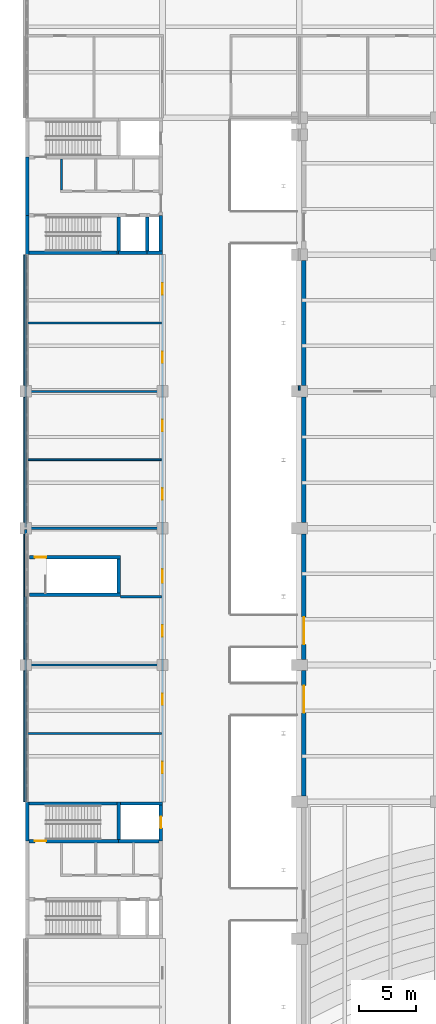
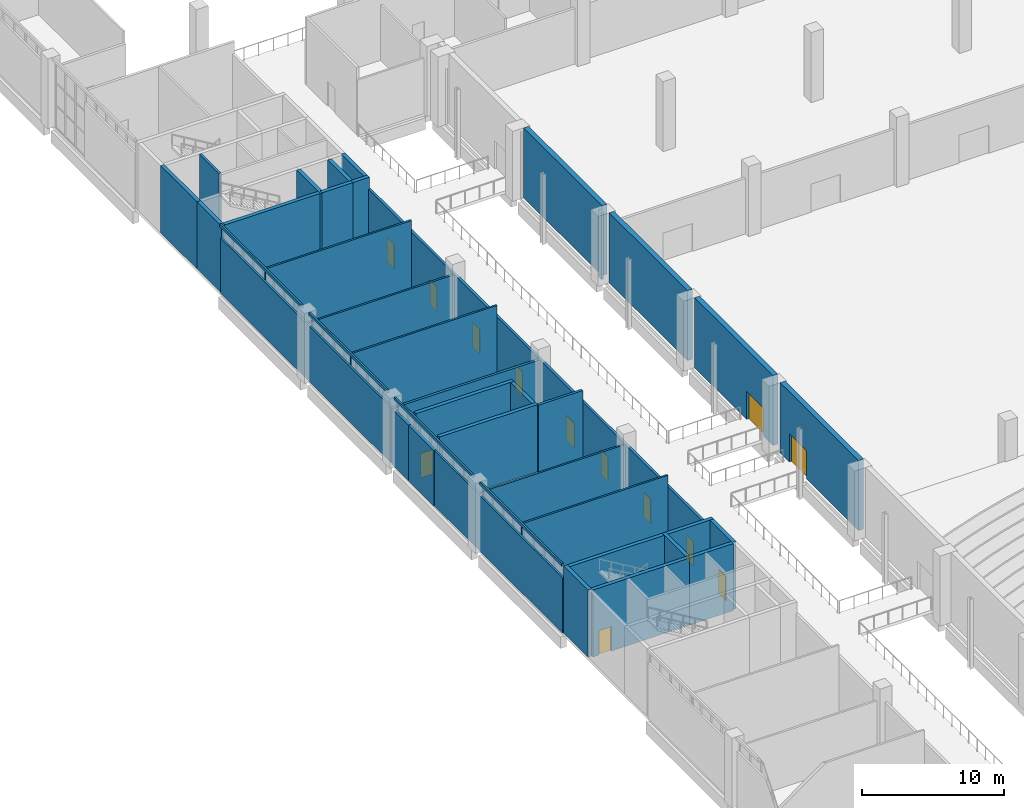
# One storey, part 59 of 72: 40 walls, 13 doors, 13 openings.
"""IFC4 building model written with IfcOpenShell, lengths in metres."""

from ifc_helpers import new_model, si_unit, direction, frame, frame_2d, origin, place, context, subcontext, project, spatial, rectangle, extrude, material, layer, layer_set, type_object, element, fill, save


model = new_model("IFC4")

# Units and contexts
model_context = context("Model", 3, precision=1e-05, world=origin(), true_north=direction((0.0, 1.0)))
body_context = subcontext(model_context, "Body", "Model", "MODEL_VIEW")
ifc_project = project(units=[si_unit("LENGTHUNIT", "METRE"), si_unit("AREAUNIT", "SQUARE_METRE"), si_unit("VOLUMEUNIT", "CUBIC_METRE"), si_unit("PLANEANGLEUNIT", "RADIAN"), si_unit("MASSUNIT", "GRAM", prefix="KILO")], contexts=[model_context])

# Site, building, storey
site_placement = place(None, origin())
site = spatial("IfcSite", under=ifc_project, at=site_placement, CompositionType="ELEMENT")
building_placement = place(site_placement, origin())
building = spatial("IfcBuilding", under=site, at=building_placement, Name="Lilac Gate Convention Centre", CompositionType="ELEMENT")
storey_placement = place(building_placement, frame((0.0, 0.0, 6.0)))
storey = spatial("IfcBuildingStorey", under=building, at=storey_placement, Name="L01", CompositionType="ELEMENT", Elevation=6.0)

# Wall, opening, door
ifc_material_1 = material(Name="Concrete C30", Category="concrete")
ifc_layer_1 = layer(ifc_material_1, 0.39990234375)
ifc_layer_set_1 = layer_set([ifc_layer_1], Name="Concrete C30")
wall_type_1 = type_object("IfcWallType", Name="Hall fire wall 400", PredefinedType="SOLIDWALL", material=ifc_layer_set_1)
wall_1_placement = place(storey_placement, frame((30.39990234375, 162.5, 0.0), z_axis=(0.0, 0.0, 1.0), x_axis=(0.0, 1.0, 0.0)))
wall_1 = element("IfcWall", 1, at=wall_1_placement, inside=storey, type_object=wall_type_1, Name="Fire wall galleria FW L01 12", PredefinedType="SOLIDWALL", context=body_context, shape_type="SweptSolid", body=[
    extrude(rectangle(XDim=11.0, YDim=0.39990234375, at=frame_2d((5.5, 0.0))), origin(), (0.0, 0.0, 1.0), 6.0),
])
opening_1_placement = place(wall_1_placement, frame((7.300048828125, 0.0, 0.0)))
opening_1 = element("IfcOpeningElement", 2, at=opening_1_placement, cuts=wall_1, Name="Opening L01-076", PredefinedType="OPENING", context=body_context, shape_type="SweptSolid", body=[
    extrude(rectangle(XDim=2.39990234375, YDim=2.39990234375, at=frame_2d((1.199951171875, 1.199951171875))), frame((0.0, 0.2099609375, 0.0), z_axis=(0.0, -1.0, 0.0), x_axis=(1.0, 0.0, 0.0)), (0.0, 0.0, 1.0), 0.419921875),
])
ifc_material_2 = material(Name="Steel Q235B", Category="steel")
door_type_1 = type_object("IfcDoorType", Name="Door 2400 x 2400 double leaf FD90", OperationType="DOUBLE_DOOR_SINGLE_SWING", PredefinedType="DOOR", material=ifc_material_2)
door_1_placement = place(opening_1_placement, origin())
door_1 = element("IfcDoor", 3, at=door_1_placement, inside=storey, type_object=door_type_1, Name="Hall exit door L01-076", OperationType="DOUBLE_DOOR_SINGLE_SWING", OverallHeight=2.39990234375, OverallWidth=2.39990234375, PredefinedType="DOOR", context=body_context, shape_type="SweptSolid", body=[
    extrude(rectangle(XDim=2.39990234375, YDim=2.39990234375, at=frame_2d((1.199951171875, 1.199951171875))), frame((0.0, 0.02490234375, 0.0), z_axis=(0.0, -1.0, 0.0), x_axis=(1.0, 0.0, 0.0)), (0.0, 0.0, 1.0), 0.050048828125),
])
fill(opening_1, door_1)

wall_2_placement = place(storey_placement, frame((30.39990234375, 174.5, 0.0), z_axis=(0.0, 0.0, 1.0), x_axis=(0.0, 1.0, 0.0)))
wall_2 = element("IfcWall", 4, at=wall_2_placement, inside=storey, type_object=wall_type_1, Name="Fire wall galleria FW L01 13", PredefinedType="SOLIDWALL", context=body_context, shape_type="SweptSolid", body=[
    extrude(rectangle(XDim=11.0, YDim=0.39990234375, at=frame_2d((5.5, 0.0))), origin(), (0.0, 0.0, 1.0), 6.0),
])
opening_2_placement = place(wall_2_placement, frame((1.300048828125, 0.0, 0.0)))
opening_2 = element("IfcOpeningElement", 5, at=opening_2_placement, cuts=wall_2, Name="Opening L01-078", PredefinedType="OPENING", context=body_context, shape_type="SweptSolid", body=[
    extrude(rectangle(XDim=2.39990234375, YDim=2.39990234375, at=frame_2d((1.199951171875, 1.199951171875))), frame((0.0, 0.2099609375, 0.0), z_axis=(0.0, -1.0, 0.0), x_axis=(1.0, 0.0, 0.0)), (0.0, 0.0, 1.0), 0.419921875),
])
door_2_placement = place(opening_2_placement, origin())
door_2 = element("IfcDoor", 6, at=door_2_placement, inside=storey, type_object=door_type_1, Name="Hall exit door L01-078", OperationType="DOUBLE_DOOR_SINGLE_SWING", OverallHeight=2.39990234375, OverallWidth=2.39990234375, PredefinedType="DOOR", context=body_context, shape_type="SweptSolid", body=[
    extrude(rectangle(XDim=2.39990234375, YDim=2.39990234375, at=frame_2d((1.199951171875, 1.199951171875))), frame((0.0, 0.02490234375, 0.0), z_axis=(0.0, -1.0, 0.0), x_axis=(1.0, 0.0, 0.0)), (0.0, 0.0, 1.0), 0.050048828125),
])
fill(opening_2, door_2)

# Walls
for number, where, z_axis, x_axis, name in (
    (7, (30.39990234375, 186.5, 0.0), (0.0, 0.0, 1.0), (0.0, 1.0, 0.0), "Fire wall galleria FW L01 14"),
    (8, (30.39990234375, 198.5, 0.0), (0.0, 0.0, 1.0), (0.0, 1.0, 0.0), "Fire wall galleria FW L01 15"),
):
    element("IfcWall", number, at=place(storey_placement, frame(where, z_axis=z_axis, x_axis=x_axis)), inside=storey, type_object=wall_type_1, Name=name, PredefinedType="SOLIDWALL", context=body_context, shape_type="SweptSolid", body=[
        extrude(rectangle(XDim=11.0, YDim=0.39990234375, at=frame_2d((5.5, 0.0))), origin(), (0.0, 0.0, 1.0), 6.0),
    ])
ifc_material_3 = material(Name="Fire-rated gypsum board on steel stud", Category="steel")
ifc_layer_2 = layer(ifc_material_3, 0.14990234375)
ifc_layer_set_2 = layer_set([ifc_layer_2], Name="Fire-rated gypsum board on steel stud")
wall_type_2 = type_object("IfcWallType", Name="Partition 150 fire-rated gypsum board EI 60", PredefinedType="PARTITIONING", material=ifc_layer_set_2)
wall_3_placement = place(storey_placement, frame((6.074951171875, 168.0, 0.0), z_axis=(0.0, 0.0, 1.0), x_axis=(1.0, 0.0, 0.0)))
element("IfcWall", 9, at=wall_3_placement, inside=storey, type_object=wall_type_2, Name="Partition 150 fire-rated gypsum board EI 60", PredefinedType="PARTITIONING", context=body_context, shape_type="SweptSolid", body=[
    extrude(rectangle(XDim=11.824951171875, YDim=0.14990234375, at=frame_2d((5.91259765625, 0.0))), origin(), (0.0, 0.0, 1.0), 5.75),
])
wall_4_placement = place(storey_placement, frame((6.074951171875, 174.0, 0.0), z_axis=(0.0, 0.0, 1.0), x_axis=(1.0, 0.0, 0.0)))
element("IfcWall", 10, at=wall_4_placement, inside=storey, type_object=wall_type_2, Name="Partition 150 fire-rated gypsum board EI 60", PredefinedType="PARTITIONING", context=body_context, shape_type="SweptSolid", body=[
    extrude(rectangle(XDim=11.824951171875, YDim=0.14990234375, at=frame_2d((5.91259765625, 0.0))), origin(), (0.0, 0.0, 1.0), 4.75),
])
wall_5_placement = place(storey_placement, frame((6.074951171875, 192.0, 0.0), z_axis=(0.0, 0.0, 1.0), x_axis=(1.0, 0.0, 0.0)))
element("IfcWall", 11, at=wall_5_placement, inside=storey, type_object=wall_type_2, Name="Partition 150 fire-rated gypsum board EI 60", PredefinedType="PARTITIONING", context=body_context, shape_type="SweptSolid", body=[
    extrude(rectangle(XDim=11.824951171875, YDim=0.14990234375, at=frame_2d((5.91259765625, 0.0))), origin(), (0.0, 0.0, 1.0), 5.75),
])
wall_6_placement = place(storey_placement, frame((6.074951171875, 198.0, 0.0), z_axis=(0.0, 0.0, 1.0), x_axis=(1.0, 0.0, 0.0)))
element("IfcWall", 12, at=wall_6_placement, inside=storey, type_object=wall_type_2, Name="Partition 150 fire-rated gypsum board EI 60", PredefinedType="PARTITIONING", context=body_context, shape_type="SweptSolid", body=[
    extrude(rectangle(XDim=11.824951171875, YDim=0.14990234375, at=frame_2d((5.91259765625, 0.0))), origin(), (0.0, 0.0, 1.0), 4.75),
])
wall_7_placement = place(storey_placement, frame((6.074951171875, 204.0, 0.0), z_axis=(0.0, 0.0, 1.0), x_axis=(1.0, 0.0, 0.0)))
element("IfcWall", 13, at=wall_7_placement, inside=storey, type_object=wall_type_2, Name="Partition 150 fire-rated gypsum board EI 60", PredefinedType="PARTITIONING", context=body_context, shape_type="SweptSolid", body=[
    extrude(rectangle(XDim=11.824951171875, YDim=0.14990234375, at=frame_2d((5.91259765625, 0.0))), origin(), (0.0, 0.0, 1.0), 5.75),
])
wall_8_placement = place(storey_placement, frame((6.0, 162.0, 0.0), z_axis=(0.0, 0.0, 1.0), x_axis=(0.0, 1.0, 0.0)))
element("IfcWall", 14, at=wall_8_placement, inside=storey, type_object=wall_type_2, Name="Partition 150 fire-rated gypsum board EI 60", PredefinedType="PARTITIONING", context=body_context, shape_type="SweptSolid", body=[
    extrude(rectangle(XDim=18.0, YDim=0.14990234375, at=frame_2d((9.0, 0.0))), origin(), (0.0, 0.0, 1.0), 4.75),
])
wall_9_placement = place(storey_placement, frame((6.0, 186.10009765625, 0.0), z_axis=(0.0, 0.0, 1.0), x_axis=(0.0, 1.0, 0.0)))
element("IfcWall", 15, at=wall_9_placement, inside=storey, type_object=wall_type_2, Name="Partition 150 fire-rated gypsum board EI 60", PredefinedType="PARTITIONING", context=body_context, shape_type="SweptSolid", body=[
    extrude(rectangle(XDim=23.89990234375, YDim=0.14990234375, at=frame_2d((11.949951171875, 0.0))), origin(), (0.0, 0.0, 1.0), 4.75),
])
wall_10_placement = place(storey_placement, frame((30.0, 198.10009765625, 0.0), z_axis=(0.0, 0.0, 1.0), x_axis=(0.0, 1.0, 0.0)))
element("IfcWall", 16, at=wall_10_placement, inside=storey, type_object=wall_type_2, Name="Partition 150 fire-rated gypsum board EI 60", PredefinedType="PARTITIONING", context=body_context, shape_type="SweptSolid", body=[
    extrude(rectangle(XDim=0.39990234375, YDim=0.14990234375, at=frame_2d((0.199951171875, 0.0))), origin(), (0.0, 0.0, 1.0), 5.75),
])
ifc_material_4 = material(Name="Clay brick masonry", Category="masonry")
ifc_layer_3 = layer(ifc_material_4, 0.199951171875)
ifc_layer_set_3 = layer_set([ifc_layer_3], Name="Clay brick masonry")
wall_type_3 = type_object("IfcWallType", Name="Partition 200 brick EI 120", PredefinedType="PARTITIONING", material=ifc_layer_set_3)
wall_11_placement = place(storey_placement, frame((6.0, 180.0, 0.0), z_axis=(0.0, 0.0, 1.0), x_axis=(0.0, 1.0, 0.0)))
element("IfcWall", 17, at=wall_11_placement, inside=storey, type_object=wall_type_3, Name="Partition 200 brick EI 120", PredefinedType="PARTITIONING", context=body_context, shape_type="SweptSolid", body=[
    extrude(rectangle(XDim=3.60009765625, YDim=0.199951171875, at=frame_2d((1.800048828125, 0.0))), origin(), (0.0, 0.0, 1.0), 4.75),
])
ifc_layer_4 = layer(ifc_material_4, 0.199951171875)
ifc_layer_set_4 = layer_set([ifc_layer_4], Name="Clay brick masonry")
wall_type_4 = type_object("IfcWallType", Name="Partition 200 brick EI 60", PredefinedType="PARTITIONING", material=ifc_layer_set_4)
wall_12_placement = place(storey_placement, frame((14.300048828125, 180.0, 0.0), z_axis=(0.0, 0.0, 1.0), x_axis=(1.0, 0.0, 0.0)))
element("IfcWall", 18, at=wall_12_placement, inside=storey, type_object=wall_type_4, Name="Partition 200 brick EI 60", PredefinedType="PARTITIONING", context=body_context, shape_type="SweptSolid", body=[
    extrude(rectangle(XDim=3.599853515625, YDim=0.199951171875, at=frame_2d((1.7998046875, 0.0))), origin(), (0.0, 0.0, 1.0), 5.75),
])
wall_13_placement = place(storey_placement, frame((5.925048828125, 186.0, 0.0), z_axis=(0.0, 0.0, 1.0), x_axis=(1.0, 0.0, 0.0)))
element("IfcWall", 19, at=wall_13_placement, inside=storey, type_object=wall_type_4, Name="Partition 200 brick EI 60", PredefinedType="PARTITIONING", context=body_context, shape_type="SweptSolid", body=[
    extrude(rectangle(XDim=11.974853515625, YDim=0.199951171875, at=frame_2d((5.9873046875, 0.0))), origin(), (0.0, 0.0, 1.0), 4.75),
])
wall_14_placement = place(storey_placement, frame((6.0, 183.60009765625, 0.0), z_axis=(0.0, 0.0, 1.0), x_axis=(0.0, 1.0, 0.0)))
element("IfcWall", 20, at=wall_14_placement, inside=storey, type_object=wall_type_4, Name="Partition 200 brick EI 60", PredefinedType="PARTITIONING", context=body_context, shape_type="SweptSolid", body=[
    extrude(rectangle(XDim=2.2998046875, YDim=0.199951171875, at=frame_2d((1.14990234375, 0.0))), origin(), (0.0, 0.0, 1.0), 4.75),
])
wall_15_placement = place(storey_placement, frame((9.14990234375, 215.64990234375, 0.0), z_axis=(0.0, 0.0, 1.0), x_axis=(0.0, 1.0, 0.0)))
element("IfcWall", 21, at=wall_15_placement, inside=storey, type_object=wall_type_4, Name="Partition 200 brick EI 60", PredefinedType="PARTITIONING", context=body_context, shape_type="SweptSolid", body=[
    extrude(rectangle(XDim=2.75, YDim=0.199951171875, at=frame_2d((1.375, 0.0))), origin(), (0.0, 0.0, 1.0), 5.75),
])

# Wall, openings, doors
wall_16_placement = place(storey_placement, frame((18.0, 162.0, 0.0), z_axis=(0.0, 0.0, 1.0), x_axis=(0.0, 1.0, 0.0)))
wall_16 = element("IfcWall", 22, at=wall_16_placement, inside=storey, type_object=wall_type_4, Name="Partition 200 brick EI 60", PredefinedType="PARTITIONING", context=body_context, shape_type="SweptSolid", body=[
    extrude(rectangle(XDim=48.0, YDim=0.199951171875, at=frame_2d((24.0, 0.0))), origin(), (0.0, 0.0, 1.0), 4.75),
])
opening_3_placement = place(wall_16_placement, frame((2.5, 0.0, 0.0)))
opening_3 = element("IfcOpeningElement", 23, at=opening_3_placement, cuts=wall_16, Name="Opening L01-072", PredefinedType="OPENING", context=body_context, shape_type="SweptSolid", body=[
    extrude(rectangle(XDim=1.0, YDim=2.10009765625, at=frame_2d((0.5, 1.050048828125))), frame((0.0, 0.10986328125, 0.0), z_axis=(0.0, -1.0, 0.0), x_axis=(1.0, 0.0, 0.0)), (0.0, 0.0, 1.0), 0.219970703125),
])
opening_4_placement = place(wall_16_placement, frame((8.5, 0.0, 0.0)))
opening_4 = element("IfcOpeningElement", 24, at=opening_4_placement, cuts=wall_16, Name="Opening L01-075", PredefinedType="OPENING", context=body_context, shape_type="SweptSolid", body=[
    extrude(rectangle(XDim=1.0, YDim=2.10009765625, at=frame_2d((0.5, 1.050048828125))), frame((0.0, 0.10986328125, 0.0), z_axis=(0.0, -1.0, 0.0), x_axis=(1.0, 0.0, 0.0)), (0.0, 0.0, 1.0), 0.219970703125),
])
opening_5_placement = place(wall_16_placement, frame((14.5, 0.0, 0.0)))
opening_5 = element("IfcOpeningElement", 25, at=opening_5_placement, cuts=wall_16, Name="Opening L01-077", PredefinedType="OPENING", context=body_context, shape_type="SweptSolid", body=[
    extrude(rectangle(XDim=1.0, YDim=2.10009765625, at=frame_2d((0.5, 1.050048828125))), frame((0.0, 0.10986328125, 0.0), z_axis=(0.0, -1.0, 0.0), x_axis=(1.0, 0.0, 0.0)), (0.0, 0.0, 1.0), 0.219970703125),
])
opening_6_placement = place(wall_16_placement, frame((19.199951171875, 0.0, 0.0)))
opening_6 = element("IfcOpeningElement", 26, at=opening_6_placement, cuts=wall_16, Name="Opening L01-080", PredefinedType="OPENING", context=body_context, shape_type="SweptSolid", body=[
    extrude(rectangle(XDim=1.199951171875, YDim=2.10009765625, at=frame_2d((0.60009765625, 1.050048828125))), frame((0.0, 0.10986328125, 0.0), z_axis=(0.0, -1.0, 0.0), x_axis=(1.0, 0.0, 0.0)), (0.0, 0.0, 1.0), 0.219970703125),
])
opening_7_placement = place(wall_16_placement, frame((26.5, 0.0, 0.0)))
opening_7 = element("IfcOpeningElement", 27, at=opening_7_placement, cuts=wall_16, Name="Opening L01-083", PredefinedType="OPENING", context=body_context, shape_type="SweptSolid", body=[
    extrude(rectangle(XDim=1.0, YDim=2.10009765625, at=frame_2d((0.5, 1.050048828125))), frame((0.0, 0.10986328125, 0.0), z_axis=(0.0, -1.0, 0.0), x_axis=(1.0, 0.0, 0.0)), (0.0, 0.0, 1.0), 0.219970703125),
])
opening_8_placement = place(wall_16_placement, frame((32.5, 0.0, 0.0)))
opening_8 = element("IfcOpeningElement", 28, at=opening_8_placement, cuts=wall_16, Name="Opening L01-091", PredefinedType="OPENING", context=body_context, shape_type="SweptSolid", body=[
    extrude(rectangle(XDim=1.0, YDim=2.10009765625, at=frame_2d((0.5, 1.050048828125))), frame((0.0, 0.10986328125, 0.0), z_axis=(0.0, -1.0, 0.0), x_axis=(1.0, 0.0, 0.0)), (0.0, 0.0, 1.0), 0.219970703125),
])
opening_9_placement = place(wall_16_placement, frame((38.5, 0.0, 0.0)))
opening_9 = element("IfcOpeningElement", 29, at=opening_9_placement, cuts=wall_16, Name="Opening L01-098", PredefinedType="OPENING", context=body_context, shape_type="SweptSolid", body=[
    extrude(rectangle(XDim=1.0, YDim=2.10009765625, at=frame_2d((0.5, 1.050048828125))), frame((0.0, 0.10986328125, 0.0), z_axis=(0.0, -1.0, 0.0), x_axis=(1.0, 0.0, 0.0)), (0.0, 0.0, 1.0), 0.219970703125),
])
opening_10_placement = place(wall_16_placement, frame((44.5, 0.0, 0.0)))
opening_10 = element("IfcOpeningElement", 30, at=opening_10_placement, cuts=wall_16, Name="Opening L01-099", PredefinedType="OPENING", context=body_context, shape_type="SweptSolid", body=[
    extrude(rectangle(XDim=1.0, YDim=2.10009765625, at=frame_2d((0.5, 1.050048828125))), frame((0.0, 0.10986328125, 0.0), z_axis=(0.0, -1.0, 0.0), x_axis=(1.0, 0.0, 0.0)), (0.0, 0.0, 1.0), 0.219970703125),
])
ifc_material_5 = material(Name="Timber fire door leaf", Category="wood")
door_type_2 = type_object("IfcDoorType", Name="Door 1000 x 2100 single leaf FD30", OperationType="SINGLE_SWING_LEFT", PredefinedType="DOOR", material=ifc_material_5)
door_3_placement = place(opening_3_placement, origin())
door_3 = element("IfcDoor", 31, at=door_3_placement, inside=storey, type_object=door_type_2, Name="Meeting room door L01-072", OperationType="SINGLE_SWING_RIGHT", OverallHeight=2.10009765625, OverallWidth=1.0, PredefinedType="DOOR", context=body_context, shape_type="SweptSolid", body=[
    extrude(rectangle(XDim=1.0, YDim=2.10009765625, at=frame_2d((0.5, 1.050048828125))), frame((0.0, 0.02490234375, 0.0), z_axis=(0.0, -1.0, 0.0), x_axis=(1.0, 0.0, 0.0)), (0.0, 0.0, 1.0), 0.050048828125),
])
fill(opening_3, door_3)
door_4_placement = place(opening_4_placement, origin())
door_4 = element("IfcDoor", 32, at=door_4_placement, inside=storey, type_object=door_type_2, Name="Meeting room door L01-075", OperationType="SINGLE_SWING_RIGHT", OverallHeight=2.10009765625, OverallWidth=1.0, PredefinedType="DOOR", context=body_context, shape_type="SweptSolid", body=[
    extrude(rectangle(XDim=1.0, YDim=2.10009765625, at=frame_2d((0.5, 1.050048828125))), frame((0.0, 0.02490234375, 0.0), z_axis=(0.0, -1.0, 0.0), x_axis=(1.0, 0.0, 0.0)), (0.0, 0.0, 1.0), 0.050048828125),
])
fill(opening_4, door_4)
door_5_placement = place(opening_5_placement, origin())
door_5 = element("IfcDoor", 33, at=door_5_placement, inside=storey, type_object=door_type_2, Name="Meeting room door L01-077", OperationType="SINGLE_SWING_RIGHT", OverallHeight=2.10009765625, OverallWidth=1.0, PredefinedType="DOOR", context=body_context, shape_type="SweptSolid", body=[
    extrude(rectangle(XDim=1.0, YDim=2.10009765625, at=frame_2d((0.5, 1.050048828125))), frame((0.0, 0.02490234375, 0.0), z_axis=(0.0, -1.0, 0.0), x_axis=(1.0, 0.0, 0.0)), (0.0, 0.0, 1.0), 0.050048828125),
])
fill(opening_5, door_5)
door_6_placement = place(opening_7_placement, origin())
door_6 = element("IfcDoor", 34, at=door_6_placement, inside=storey, type_object=door_type_2, Name="Meeting room door L01-083", OperationType="SINGLE_SWING_RIGHT", OverallHeight=2.10009765625, OverallWidth=1.0, PredefinedType="DOOR", context=body_context, shape_type="SweptSolid", body=[
    extrude(rectangle(XDim=1.0, YDim=2.10009765625, at=frame_2d((0.5, 1.050048828125))), frame((0.0, 0.02490234375, 0.0), z_axis=(0.0, -1.0, 0.0), x_axis=(1.0, 0.0, 0.0)), (0.0, 0.0, 1.0), 0.050048828125),
])
fill(opening_7, door_6)
door_7_placement = place(opening_8_placement, origin())
door_7 = element("IfcDoor", 35, at=door_7_placement, inside=storey, type_object=door_type_2, Name="Meeting room door L01-091", OperationType="SINGLE_SWING_RIGHT", OverallHeight=2.10009765625, OverallWidth=1.0, PredefinedType="DOOR", context=body_context, shape_type="SweptSolid", body=[
    extrude(rectangle(XDim=1.0, YDim=2.10009765625, at=frame_2d((0.5, 1.050048828125))), frame((0.0, 0.02490234375, 0.0), z_axis=(0.0, -1.0, 0.0), x_axis=(1.0, 0.0, 0.0)), (0.0, 0.0, 1.0), 0.050048828125),
])
fill(opening_8, door_7)
door_8_placement = place(opening_9_placement, origin())
door_8 = element("IfcDoor", 36, at=door_8_placement, inside=storey, type_object=door_type_2, Name="Meeting room door L01-098", OperationType="SINGLE_SWING_RIGHT", OverallHeight=2.10009765625, OverallWidth=1.0, PredefinedType="DOOR", context=body_context, shape_type="SweptSolid", body=[
    extrude(rectangle(XDim=1.0, YDim=2.10009765625, at=frame_2d((0.5, 1.050048828125))), frame((0.0, 0.02490234375, 0.0), z_axis=(0.0, -1.0, 0.0), x_axis=(1.0, 0.0, 0.0)), (0.0, 0.0, 1.0), 0.050048828125),
])
fill(opening_9, door_8)
door_9_placement = place(opening_10_placement, origin())
door_9 = element("IfcDoor", 37, at=door_9_placement, inside=storey, type_object=door_type_2, Name="Meeting room door L01-099", OperationType="SINGLE_SWING_RIGHT", OverallHeight=2.10009765625, OverallWidth=1.0, PredefinedType="DOOR", context=body_context, shape_type="SweptSolid", body=[
    extrude(rectangle(XDim=1.0, YDim=2.10009765625, at=frame_2d((0.5, 1.050048828125))), frame((0.0, 0.02490234375, 0.0), z_axis=(0.0, -1.0, 0.0), x_axis=(1.0, 0.0, 0.0)), (0.0, 0.0, 1.0), 0.050048828125),
])
fill(opening_10, door_9)
door_type_3 = type_object("IfcDoorType", Name="Door 1200 x 2100 single leaf FD60", OperationType="SINGLE_SWING_LEFT", PredefinedType="DOOR", material=ifc_material_5)
door_10_placement = place(opening_6_placement, origin())
door_10 = element("IfcDoor", 38, at=door_10_placement, inside=storey, type_object=door_type_3, Name="Lobby door L01-080", OperationType="SINGLE_SWING_RIGHT", OverallHeight=2.10009765625, OverallWidth=1.199951171875, PredefinedType="DOOR", context=body_context, shape_type="SweptSolid", body=[
    extrude(rectangle(XDim=1.199951171875, YDim=2.10009765625, at=frame_2d((0.60009765625, 1.050048828125))), frame((0.0, 0.02490234375, 0.0), z_axis=(0.0, -1.0, 0.0), x_axis=(1.0, 0.0, 0.0)), (0.0, 0.0, 1.0), 0.050048828125),
])
fill(opening_6, door_10)

# Walls
ifc_material_6 = material(Name="Concrete C40 precast", Category="concrete")
ifc_layer_5 = layer(ifc_material_6, 0.1298828125)
ifc_material_7 = material(Name="Ochre mineral render")
ifc_layer_6 = layer(ifc_material_7, 0.02001953125)
ifc_layer_set_5 = layer_set([ifc_layer_5, ifc_layer_6], Name="Concrete C40 precast, Ochre mineral render")
wall_type_5 = type_object("IfcWallType", Name="Precast band ochre 150", PredefinedType="STANDARD", material=ifc_layer_set_5)
wall_17_placement = place(storey_placement, frame((5.925048828125, 210.0, 5.75), z_axis=(0.0, 0.0, 1.0), x_axis=(0.0, -1.0, 0.0)))
element("IfcWall", 39, at=wall_17_placement, inside=storey, type_object=wall_type_5, Name="Precast band PW L01 1", PredefinedType="STANDARD", context=body_context, shape_type="SweptSolid", body=[
    extrude(rectangle(XDim=11.5, YDim=0.14990234375, at=frame_2d((5.75, 0.0))), origin(), (0.0, 0.0, 1.0), 0.25),
])
for number, where, z_axis, x_axis, name in (
    (40, (5.925048828125, 197.5, 5.75), (0.0, 0.0, 1.0), (0.0, -1.0, 0.0), "Precast band PW L01 2"),
    (41, (5.925048828125, 185.5, 5.75), (0.0, 0.0, 1.0), (0.0, -1.0, 0.0), "Precast band PW L01 3"),
):
    element("IfcWall", number, at=place(storey_placement, frame(where, z_axis=z_axis, x_axis=x_axis)), inside=storey, type_object=wall_type_5, Name=name, PredefinedType="STANDARD", context=body_context, shape_type="SweptSolid", body=[
        extrude(rectangle(XDim=11.0, YDim=0.14990234375, at=frame_2d((5.5, 0.0))), origin(), (0.0, 0.0, 1.0), 0.25),
    ])
wall_18_placement = place(storey_placement, frame((5.925048828125, 173.5, 5.75), z_axis=(0.0, 0.0, 1.0), x_axis=(0.0, -1.0, 0.0)))
element("IfcWall", 42, at=wall_18_placement, inside=storey, type_object=wall_type_5, Name="Precast band PW L01 4", PredefinedType="STANDARD", context=body_context, shape_type="SweptSolid", body=[
    extrude(rectangle(XDim=11.5, YDim=0.14990234375, at=frame_2d((5.75, 0.0))), origin(), (0.0, 0.0, 1.0), 0.25),
])
ifc_material_8 = material(Name="Concrete C40", Category="concrete")
ifc_layer_7 = layer(ifc_material_8, 0.300048828125)
ifc_layer_set_6 = layer_set([ifc_layer_7], Name="Concrete C40")
wall_type_6 = type_object("IfcWallType", Name="Shear wall 300 C40", PredefinedType="SHEAR", material=ifc_layer_set_6)
wall_19_placement = place(storey_placement, frame((6.35009765625, 180.14990234375, 0.0), z_axis=(0.0, 0.0, 1.0), x_axis=(1.0, 0.0, 0.0)))
element("IfcWall", 43, at=wall_19_placement, inside=storey, type_object=wall_type_6, Name="SW1 shear wall UW2 L01 1", PredefinedType="SHEAR", context=body_context, shape_type="SweptSolid", body=[
    extrude(rectangle(XDim=7.949951171875, YDim=0.300048828125, at=frame_2d((3.97509765625, 0.0))), origin(), (0.0, 0.0, 1.0), 5.75),
])

# Wall, opening, door
wall_20_placement = place(storey_placement, frame((6.35009765625, 183.449951171875, 0.0), z_axis=(0.0, 0.0, 1.0), x_axis=(1.0, 0.0, 0.0)))
wall_20 = element("IfcWall", 44, at=wall_20_placement, inside=storey, type_object=wall_type_6, Name="SW1 shear wall UW2 L01 2", PredefinedType="SHEAR", context=body_context, shape_type="SweptSolid", body=[
    extrude(rectangle(XDim=7.949951171875, YDim=0.300048828125, at=frame_2d((3.97509765625, 0.0))), origin(), (0.0, 0.0, 1.0), 5.75),
])
opening_11_placement = place(wall_20_placement, frame((0.449951171875, 0.0, 0.0)))
opening_11 = element("IfcOpeningElement", 45, at=opening_11_placement, cuts=wall_20, Name="Opening L01-081", PredefinedType="OPENING", context=body_context, shape_type="SweptSolid", body=[
    extrude(rectangle(XDim=1.0, YDim=2.10009765625, at=frame_2d((0.5, 1.050048828125))), frame((0.0, 0.159912109375, 0.0), z_axis=(0.0, -1.0, 0.0), x_axis=(1.0, 0.0, 0.0)), (0.0, 0.0, 1.0), 0.320068359375),
])
door_type_4 = type_object("IfcDoorType", Name="Door 1000 x 2100 single leaf FD60", OperationType="SINGLE_SWING_LEFT", PredefinedType="DOOR", material=ifc_material_5)
door_11_placement = place(opening_11_placement, frame((1.0, 0.0, 0.0), z_axis=(0.0, 0.0, 1.0), x_axis=(-1.0, 0.0, 0.0)))
door_11 = element("IfcDoor", 46, at=door_11_placement, inside=storey, type_object=door_type_4, Name="Stair door L01-081", OperationType="SINGLE_SWING_LEFT", OverallHeight=2.10009765625, OverallWidth=1.0, PredefinedType="DOOR", context=body_context, shape_type="SweptSolid", body=[
    extrude(rectangle(XDim=1.0, YDim=2.10009765625, at=frame_2d((0.5, 1.050048828125))), frame((0.0, 0.02490234375, 0.0), z_axis=(0.0, -1.0, 0.0), x_axis=(1.0, 0.0, 0.0)), (0.0, 0.0, 1.0), 0.050048828125),
])
fill(opening_11, door_11)

# Walls
wall_21_placement = place(storey_placement, frame((14.14990234375, 180.300048828125, 0.0), z_axis=(0.0, 0.0, 1.0), x_axis=(0.0, 1.0, 0.0)))
element("IfcWall", 47, at=wall_21_placement, inside=storey, type_object=wall_type_6, Name="SW1 shear wall UW2 L01 3", PredefinedType="SHEAR", context=body_context, shape_type="SweptSolid", body=[
    extrude(rectangle(XDim=3.0, YDim=0.300048828125, at=frame_2d((1.5, 0.0))), origin(), (0.0, 0.0, 1.0), 5.75),
])
wall_22_placement = place(storey_placement, frame((6.0, 161.85009765625, 0.0), z_axis=(0.0, 0.0, 1.0), x_axis=(1.0, 0.0, 0.0)))
element("IfcWall", 48, at=wall_22_placement, inside=storey, type_object=wall_type_6, Name="SW1 shear wall W3 L01 4", PredefinedType="SHEAR", context=body_context, shape_type="SweptSolid", body=[
    extrude(rectangle(XDim=8.14990234375, YDim=0.300048828125, at=frame_2d((4.074951171875, 0.0))), origin(), (0.0, 0.0, 1.0), 5.75),
])
wall_23_placement = place(storey_placement, frame((14.14990234375, 161.85009765625, 0.0), z_axis=(0.0, 0.0, 1.0), x_axis=(1.0, 0.0, 0.0)))
element("IfcWall", 49, at=wall_23_placement, inside=storey, type_object=wall_type_6, Name="SW1 shear wall W3 L01 5", PredefinedType="SHEAR", context=body_context, shape_type="SweptSolid", body=[
    extrude(rectangle(XDim=3.85009765625, YDim=0.300048828125, at=frame_2d((1.925048828125, 0.0))), origin(), (0.0, 0.0, 1.0), 5.75),
])

# Wall, opening, door
wall_24_placement = place(storey_placement, frame((6.300048828125, 158.550048828125, 0.0), z_axis=(0.0, 0.0, 1.0), x_axis=(1.0, 0.0, 0.0)))
wall_24 = element("IfcWall", 50, at=wall_24_placement, inside=storey, type_object=wall_type_6, Name="SW1 shear wall W3 L01 9", PredefinedType="SHEAR", context=body_context, shape_type="SweptSolid", body=[
    extrude(rectangle(XDim=7.849853515625, YDim=0.300048828125, at=frame_2d((3.9248046875, 0.0))), origin(), (0.0, 0.0, 1.0), 5.75),
])
opening_12_placement = place(wall_24_placement, frame((0.5, 0.0, 0.0)))
opening_12 = element("IfcOpeningElement", 51, at=opening_12_placement, cuts=wall_24, Name="Opening L01-067", PredefinedType="OPENING", context=body_context, shape_type="SweptSolid", body=[
    extrude(rectangle(XDim=1.0, YDim=2.10009765625, at=frame_2d((0.5, 1.050048828125))), frame((0.0, 0.159912109375, 0.0), z_axis=(0.0, -1.0, 0.0), x_axis=(1.0, 0.0, 0.0)), (0.0, 0.0, 1.0), 0.320068359375),
])
door_12_placement = place(opening_12_placement, origin())
door_12 = element("IfcDoor", 52, at=door_12_placement, inside=storey, type_object=door_type_4, Name="Stair door L01-067", OperationType="SINGLE_SWING_RIGHT", OverallHeight=2.10009765625, OverallWidth=1.0, PredefinedType="DOOR", context=body_context, shape_type="SweptSolid", body=[
    extrude(rectangle(XDim=1.0, YDim=2.10009765625, at=frame_2d((0.5, 1.050048828125))), frame((0.0, 0.02490234375, 0.0), z_axis=(0.0, -1.0, 0.0), x_axis=(1.0, 0.0, 0.0)), (0.0, 0.0, 1.0), 0.050048828125),
])
fill(opening_12, door_12)

# Walls
wall_25_placement = place(storey_placement, frame((14.14990234375, 158.550048828125, 0.0), z_axis=(0.0, 0.0, 1.0), x_axis=(1.0, 0.0, 0.0)))
element("IfcWall", 53, at=wall_25_placement, inside=storey, type_object=wall_type_6, Name="SW1 shear wall W3 L01 10", PredefinedType="SHEAR", context=body_context, shape_type="SweptSolid", body=[
    extrude(rectangle(XDim=3.550048828125, YDim=0.300048828125, at=frame_2d((1.77490234375, 0.0))), origin(), (0.0, 0.0, 1.0), 5.75),
])
wall_26_placement = place(storey_placement, frame((6.14990234375, 158.550048828125, 0.0), z_axis=(0.0, 0.0, 1.0), x_axis=(0.0, 1.0, 0.0)))
element("IfcWall", 54, at=wall_26_placement, inside=storey, type_object=wall_type_6, Name="SW1 shear wall W3 L01 13", PredefinedType="SHEAR", context=body_context, shape_type="SweptSolid", body=[
    extrude(rectangle(XDim=3.449951171875, YDim=0.300048828125, at=frame_2d((1.72509765625, 0.0))), origin(), (0.0, 0.0, 1.0), 5.75),
])

# Wall, opening, door
wall_27_placement = place(storey_placement, frame((17.85009765625, 158.550048828125, 0.0), z_axis=(0.0, 0.0, 1.0), x_axis=(0.0, 1.0, 0.0)))
wall_27 = element("IfcWall", 55, at=wall_27_placement, inside=storey, type_object=wall_type_6, Name="SW1 shear wall W3 L01 16", PredefinedType="SHEAR", context=body_context, shape_type="SweptSolid", body=[
    extrude(rectangle(XDim=3.14990234375, YDim=0.300048828125, at=frame_2d((1.574951171875, 0.0))), origin(), (0.0, 0.0, 1.0), 5.75),
])
opening_13_placement = place(wall_27_placement, frame((1.14990234375, 0.0, 0.0)))
opening_13 = element("IfcOpeningElement", 56, at=opening_13_placement, cuts=wall_27, Name="Opening L01-069", PredefinedType="OPENING", context=body_context, shape_type="SweptSolid", body=[
    extrude(rectangle(XDim=1.0, YDim=2.10009765625, at=frame_2d((0.5, 1.050048828125))), frame((0.0, 0.159912109375, 0.0), z_axis=(0.0, -1.0, 0.0), x_axis=(1.0, 0.0, 0.0)), (0.0, 0.0, 1.0), 0.320068359375),
])
door_13_placement = place(opening_13_placement, origin())
door_13 = element("IfcDoor", 57, at=door_13_placement, inside=storey, type_object=door_type_2, Name="Riser access door L01-069", OperationType="SINGLE_SWING_RIGHT", OverallHeight=2.10009765625, OverallWidth=1.0, PredefinedType="DOOR", context=body_context, shape_type="SweptSolid", body=[
    extrude(rectangle(XDim=1.0, YDim=2.10009765625, at=frame_2d((0.5, 1.050048828125))), frame((0.0, 0.02490234375, 0.0), z_axis=(0.0, -1.0, 0.0), x_axis=(1.0, 0.0, 0.0)), (0.0, 0.0, 1.0), 0.050048828125),
])
fill(opening_13, door_13)

# Walls
wall_28_placement = place(storey_placement, frame((14.14990234375, 158.699951171875, 0.0), z_axis=(0.0, 0.0, 1.0), x_axis=(0.0, 1.0, 0.0)))
element("IfcWall", 58, at=wall_28_placement, inside=storey, type_object=wall_type_6, Name="SW1 shear wall W3 L01 18", PredefinedType="SHEAR", context=body_context, shape_type="SweptSolid", body=[
    extrude(rectangle(XDim=3.300048828125, YDim=0.300048828125, at=frame_2d((1.64990234375, 0.0))), origin(), (0.0, 0.0, 1.0), 5.75),
])
wall_29_placement = place(storey_placement, frame((6.0, 210.14990234375, 0.0), z_axis=(0.0, 0.0, 1.0), x_axis=(1.0, 0.0, 0.0)))
element("IfcWall", 59, at=wall_29_placement, inside=storey, type_object=wall_type_6, Name="SW1 shear wall W4 L01 1", PredefinedType="SHEAR", context=body_context, shape_type="SweptSolid", body=[
    extrude(rectangle(XDim=8.14990234375, YDim=0.300048828125, at=frame_2d((4.074951171875, 0.0))), origin(), (0.0, 0.0, 1.0), 5.75),
])
wall_30_placement = place(storey_placement, frame((14.14990234375, 210.14990234375, 0.0), z_axis=(0.0, 0.0, 1.0), x_axis=(1.0, 0.0, 0.0)))
element("IfcWall", 60, at=wall_30_placement, inside=storey, type_object=wall_type_6, Name="SW1 shear wall W4 L01 2", PredefinedType="SHEAR", context=body_context, shape_type="SweptSolid", body=[
    extrude(rectangle(XDim=2.5, YDim=0.300048828125, at=frame_2d((1.25, 0.0))), origin(), (0.0, 0.0, 1.0), 5.75),
])
wall_31_placement = place(storey_placement, frame((16.64990234375, 210.14990234375, 0.0), z_axis=(0.0, 0.0, 1.0), x_axis=(1.0, 0.0, 0.0)))
element("IfcWall", 61, at=wall_31_placement, inside=storey, type_object=wall_type_6, Name="SW1 shear wall W4 L01 3", PredefinedType="SHEAR", context=body_context, shape_type="SweptSolid", body=[
    extrude(rectangle(XDim=1.35009765625, YDim=0.300048828125, at=frame_2d((0.675048828125, 0.0))), origin(), (0.0, 0.0, 1.0), 5.75),
])
wall_32_placement = place(storey_placement, frame((6.14990234375, 210.0, 0.0), z_axis=(0.0, 0.0, 1.0), x_axis=(0.0, 1.0, 0.0)))
element("IfcWall", 62, at=wall_32_placement, inside=storey, type_object=wall_type_6, Name="SW1 shear wall W4 L01 11", PredefinedType="SHEAR", context=body_context, shape_type="SweptSolid", body=[
    extrude(rectangle(XDim=3.449951171875, YDim=0.300048828125, at=frame_2d((1.72509765625, 0.0))), origin(), (0.0, 0.0, 1.0), 5.75),
])
wall_33_placement = place(storey_placement, frame((6.14990234375, 213.449951171875, 0.0), z_axis=(0.0, 0.0, 1.0), x_axis=(0.0, 1.0, 0.0)))
element("IfcWall", 63, at=wall_33_placement, inside=storey, type_object=wall_type_6, Name="SW1 shear wall W4 L01 12", PredefinedType="SHEAR", context=body_context, shape_type="SweptSolid", body=[
    extrude(rectangle(XDim=5.10009765625, YDim=0.300048828125, at=frame_2d((2.550048828125, 0.0))), origin(), (0.0, 0.0, 1.0), 5.75),
])
wall_34_placement = place(storey_placement, frame((17.85009765625, 210.300048828125, 0.0), z_axis=(0.0, 0.0, 1.0), x_axis=(0.0, 1.0, 0.0)))
element("IfcWall", 64, at=wall_34_placement, inside=storey, type_object=wall_type_6, Name="SW1 shear wall W4 L01 14", PredefinedType="SHEAR", context=body_context, shape_type="SweptSolid", body=[
    extrude(rectangle(XDim=3.14990234375, YDim=0.300048828125, at=frame_2d((1.574951171875, 0.0))), origin(), (0.0, 0.0, 1.0), 5.75),
])
wall_35_placement = place(storey_placement, frame((14.14990234375, 210.0, 0.0), z_axis=(0.0, 0.0, 1.0), x_axis=(0.0, 1.0, 0.0)))
element("IfcWall", 65, at=wall_35_placement, inside=storey, type_object=wall_type_6, Name="SW1 shear wall W4 L01 17", PredefinedType="SHEAR", context=body_context, shape_type="SweptSolid", body=[
    extrude(rectangle(XDim=3.300048828125, YDim=0.300048828125, at=frame_2d((1.64990234375, 0.0))), origin(), (0.0, 0.0, 1.0), 5.75),
])
wall_36_placement = place(storey_placement, frame((16.64990234375, 210.300048828125, 0.0), z_axis=(0.0, 0.0, 1.0), x_axis=(0.0, 1.0, 0.0)))
element("IfcWall", 66, at=wall_36_placement, inside=storey, type_object=wall_type_6, Name="SW1 shear wall W4 L01 19", PredefinedType="SHEAR", context=body_context, shape_type="SweptSolid", body=[
    extrude(rectangle(XDim=3.0, YDim=0.300048828125, at=frame_2d((1.5, 0.0))), origin(), (0.0, 0.0, 1.0), 5.75),
])

save(model, "model.ifc")
